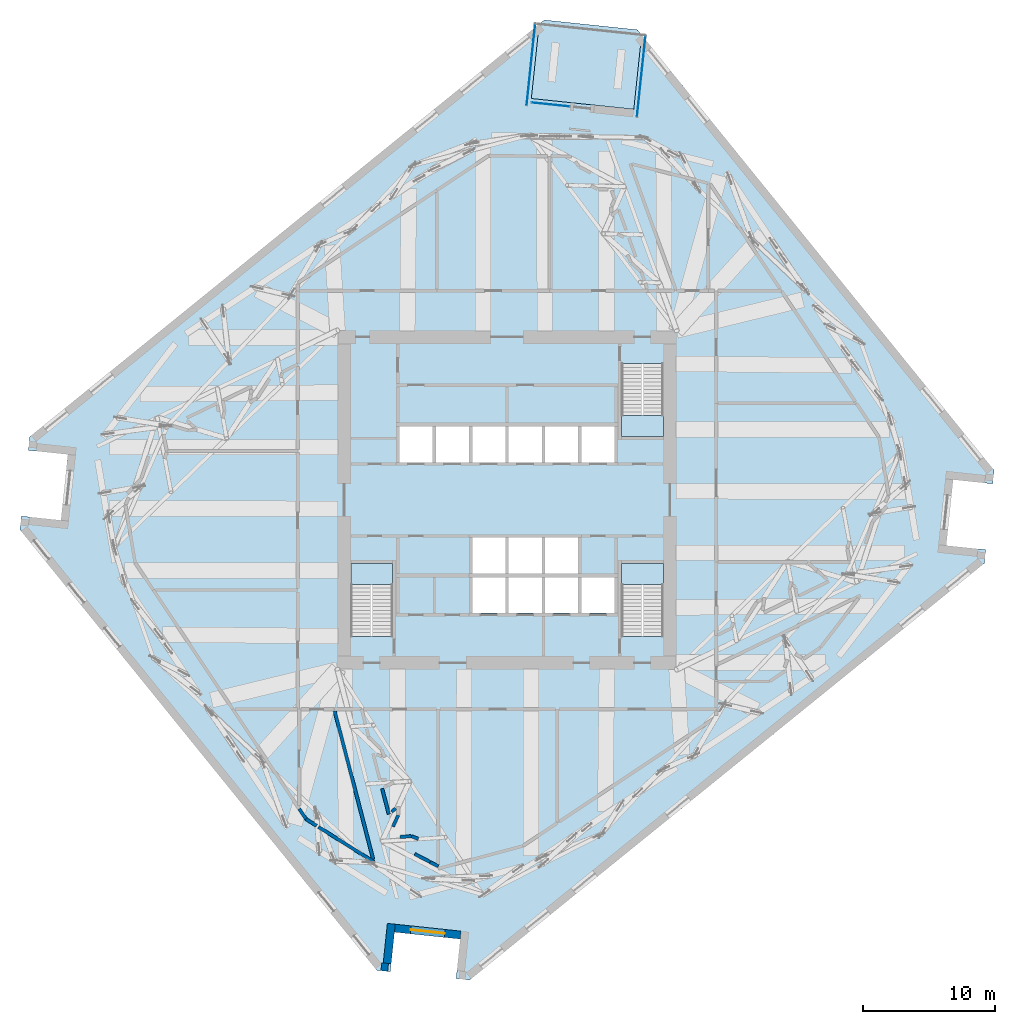
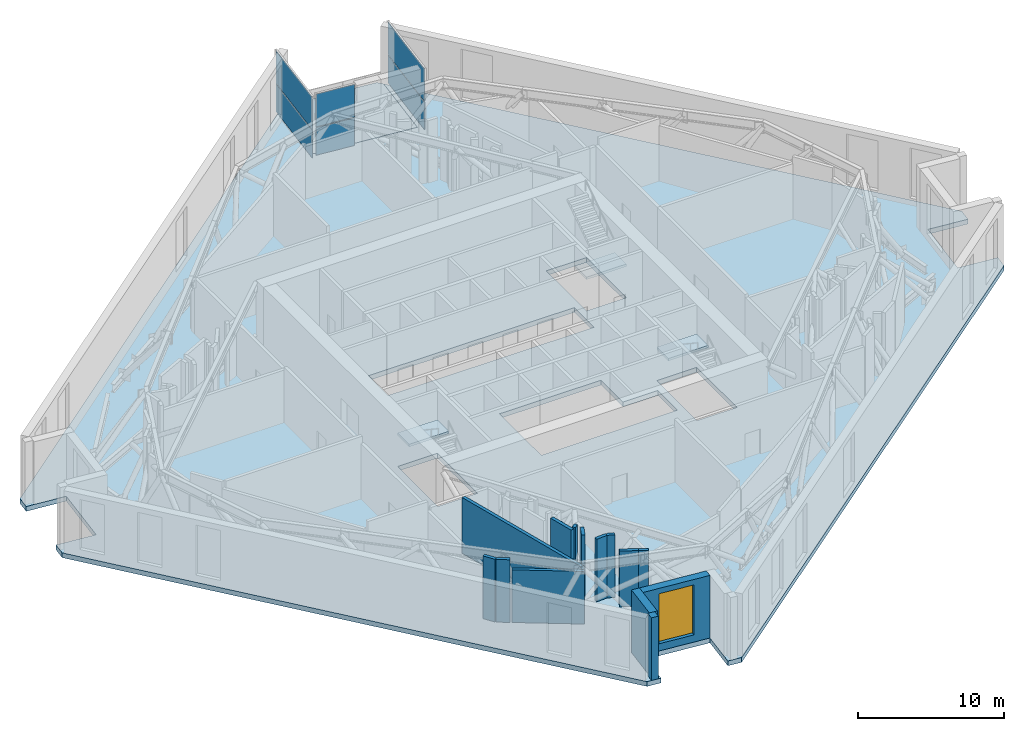
# One storey, part 6 of 17: 14 walls, 6 plates, 5 slabs, 1 window, 1 opening, 6 elements without a shape of their own.
"""IFC4 building model written with IfcOpenShell, lengths in metres."""

import ifcopenshell
import ifcopenshell.guid

model = None  # the IFC model being written
_history = None  # IfcOwnerHistory: only IFC2X3 demands one
_inside = {}  # id of a spatial element -> (the spatial element, [elements in it])
_under = {}  # id of a project, library or spatial element -> (it, [spatial elements below it])
_declared = {}  # id of a project -> (the project, [libraries it declares])
_typed = {}  # id of a type object -> (the type object, [elements of that type])
_made_of = {}  # id of a material, layer set ... -> (it, [elements and type objects made of it])


def new_model(schema):
    """Start an empty IFC model of exactly this schema.

    Asked for "IFC4X3", IfcOpenShell would pick the latest addendum, in which some entities
    have other attributes; the version numbers below select the first issue.
    IFC2X3 requires an IfcOwnerHistory on every rooted entity: one is made here for all.
    """
    global model, _history
    if schema == "IFC4X3":
        model = ifcopenshell.file(schema_version=(4, 3, 0, 0))
    else:
        model = ifcopenshell.file(schema=schema)
    _inside.clear()
    _under.clear()
    _declared.clear()
    _typed.clear()
    _made_of.clear()
    _history = None
    if model.schema == "IFC2X3":
        org = make("IfcOrganization", Name="unknown")
        user = make(
            "IfcPersonAndOrganization",
            ThePerson=make("IfcPerson", FamilyName="unknown"),
            TheOrganization=org,
        )
        app = make(
            "IfcApplication",
            ApplicationDeveloper=org,
            Version="unknown",
            ApplicationFullName="unknown",
            ApplicationIdentifier="unknown",
        )
        _history = make(
            "IfcOwnerHistory",
            OwningUser=user,
            OwningApplication=app,
            ChangeAction="ADDED",
            CreationDate=0,
        )
    return model


def make(cls, **values):
    """One entity of the class cls with the attributes given. An attribute that is None is left unset."""
    return model.create_entity(
        cls, **{name: value for name, value in values.items() if value is not None}
    )


def rooted(cls, **values):
    """An entity with a GlobalId (a new one), such as an element, a storey or a relation."""
    return make(cls, GlobalId=ifcopenshell.guid.new(), OwnerHistory=_history, **values)


def si_unit(unit_type, name, prefix=None):
    """IfcSIUnit, for example si_unit("LENGTHUNIT", "METRE", prefix="MILLI")."""
    return make("IfcSIUnit", UnitType=unit_type, Prefix=prefix, Name=name)


def assignment(units):
    """IfcUnitAssignment: the units of a project."""
    return None if units is None else make("IfcUnitAssignment", Units=units)


def point(xyz):
    """IfcCartesianPoint."""
    return None if xyz is None else make("IfcCartesianPoint", Coordinates=xyz)


def direction(xyz):
    """IfcDirection."""
    return None if xyz is None else make("IfcDirection", DirectionRatios=xyz)


def frame(location, z_axis=None, x_axis=None):
    """IfcAxis2Placement3D, a coordinate frame: its origin and axes. An axis left out is left unset."""
    return make(
        "IfcAxis2Placement3D",
        Location=point(location),
        Axis=direction(z_axis),
        RefDirection=direction(x_axis),
    )


def frame_2d(location, x_axis=None):
    """IfcAxis2Placement2D, a coordinate frame in the plane: its origin and x axis."""
    return make(
        "IfcAxis2Placement2D", Location=point(location), RefDirection=direction(x_axis)
    )


def origin():
    """The frame at (0, 0, 0) with its axes left unset."""
    return frame((0.0, 0.0, 0.0))


def origin_2d():
    """The frame at (0, 0) in the plane with its x axis left unset."""
    return frame_2d((0.0, 0.0))


def place(relative_to, where):
    """IfcLocalPlacement: puts the frame where relative to a parent placement (None: the world)."""
    return make(
        "IfcLocalPlacement", PlacementRelTo=relative_to, RelativePlacement=where
    )


def context(
    kind, dimensions, precision=None, world=None, true_north=None, identifier=None
):
    """IfcGeometricRepresentationContext, for example the 3D "Model" context."""
    return make(
        "IfcGeometricRepresentationContext",
        ContextIdentifier=identifier,
        ContextType=kind,
        CoordinateSpaceDimension=dimensions,
        Precision=precision,
        WorldCoordinateSystem=world,
        TrueNorth=true_north,
    )


def subcontext(parent, identifier, kind, view, scale=None):
    """IfcGeometricRepresentationSubContext, for example "Body" below "Model"."""
    return make(
        "IfcGeometricRepresentationSubContext",
        ContextIdentifier=identifier,
        ContextType=kind,
        ParentContext=parent,
        TargetScale=scale,
        TargetView=view,
    )


def project(units=None, contexts=None):
    """IfcProject with its units and contexts."""
    return rooted(
        "IfcProject",
        Name="project",
        RepresentationContexts=contexts,
        UnitsInContext=assignment(units),
    )


def spatial(cls, under=None, at=None, **own):
    """A site, building, storey or space (cls), placed at a placement, below another one or the project."""
    s = rooted(cls, ObjectPlacement=at, **own)
    if under is not None:
        _under.setdefault(under.id(), (under, []))[1].append(s)
    return s


def polyline(points):
    """IfcPolyline through the points."""
    return make("IfcPolyline", Points=[point(p) for p in points])


def profile(cls, at=None, kind="AREA", **sizes):
    """A parametric profile (cls). Its sizes go by their IFC names, for example OverallWidth=200.0."""
    return make(cls, ProfileType=kind, Position=at, **sizes)


def rectangle(**sizes):
    """IfcRectangleProfileDef."""
    return profile("IfcRectangleProfileDef", **sizes)


def outline(outer, holes=None, kind="AREA"):
    """IfcArbitraryClosedProfileDef: a profile drawn as a closed curve; with holes, ...WithVoids."""
    if holes is None:
        return make("IfcArbitraryClosedProfileDef", ProfileType=kind, OuterCurve=outer)
    return make(
        "IfcArbitraryProfileDefWithVoids",
        ProfileType=kind,
        OuterCurve=outer,
        InnerCurves=holes,
    )


def extrude(swept, where, along, depth):
    """IfcExtrudedAreaSolid: the profile swept, set in the frame where, extruded along a direction by depth."""
    return make(
        "IfcExtrudedAreaSolid",
        SweptArea=swept,
        Position=where,
        ExtrudedDirection=direction(along),
        Depth=depth,
    )


def shape(context_of_items, identifier, shape_type, items):
    """IfcShapeRepresentation: the items that make up one representation, for example the "Body"."""
    return make(
        "IfcShapeRepresentation",
        ContextOfItems=context_of_items,
        RepresentationIdentifier=identifier,
        RepresentationType=shape_type,
        Items=items,
    )


def material(Name=None, Category=None):
    """IfcMaterial."""
    return make("IfcMaterial", Name=Name, Category=Category)


def layer(
    of_material, thickness, ventilated=None, Name=None, Category=None, Priority=None
):
    """IfcMaterialLayer: one layer of a wall or slab, of a material (None: an air gap)."""
    return make(
        "IfcMaterialLayer",
        Material=of_material,
        LayerThickness=thickness,
        IsVentilated=ventilated,
        Name=Name,
        Category=Category,
        Priority=Priority,
    )


def layer_set(layers, Name=None):
    """IfcMaterialLayerSet."""
    return make("IfcMaterialLayerSet", MaterialLayers=layers, LayerSetName=Name)


def made_of(thing, what):
    """Note that an element or type object is made of a material, layer set ...; save() writes the relation."""
    if what is not None:
        _made_of.setdefault(what.id(), (what, []))[1].append(thing)
    return thing


def type_object(cls, material=None, **own):
    """A type object (cls), such as IfcWallType, which elements share."""
    return made_of(rooted(cls, **own), material)


def element(
    cls,
    number,
    at=None,
    inside=None,
    cuts=None,
    type_object=None,
    material=None,
    context=None,
    identifier="Body",
    shape_type=None,
    held_by="IfcProductDefinitionShape",
    body=None,
    shapes=None,
    **own,
):
    """One element of the class cls, such as IfcWall. Its Tag is "e" and its number.

    at: its placement. inside: the storey or other place that contains it. cuts: it is an
    opening in that element (IfcRelVoidsElement). A single representation is given by context,
    identifier, shape_type and body (its items); several are given by shapes. held_by: the class
    of the entity that holds the representations. save() writes the other relations.
    """
    e = rooted(cls, Tag="e%d" % number, ObjectPlacement=at, **own)
    if body is not None:
        shapes = [shape(context, identifier, shape_type, body)]
    if shapes is not None:
        e.Representation = make(held_by, Representations=shapes)
    if inside is not None:
        _inside.setdefault(inside.id(), (inside, []))[1].append(e)
    if cuts is not None:
        rooted(
            "IfcRelVoidsElement", RelatingBuildingElement=cuts, RelatedOpeningElement=e
        )
    if type_object is not None:
        _typed.setdefault(type_object.id(), (type_object, []))[1].append(e)
    return made_of(e, material)


def fill(opening, filler):
    """IfcRelFillsElement: the door or window that sits in an opening."""
    return rooted(
        "IfcRelFillsElement",
        RelatingOpeningElement=opening,
        RelatedBuildingElement=filler,
    )


def aggregate(whole, parts):
    """IfcRelAggregates: a whole, such as a stair, and the parts it consists of."""
    return rooted("IfcRelAggregates", RelatingObject=whole, RelatedObjects=parts)


def save(model, path):
    """Write the relations noted so far, then the file.

    IfcRelAggregates (storeys below a building ...), IfcRelContainedInSpatialStructure (elements
    in a storey), IfcRelDefinesByType, IfcRelAssociatesMaterial and IfcRelDeclares: one each for
    every whole, place, type object, material and project.
    """
    for whole, parts in _under.values():
        aggregate(whole, parts)
    for where, things in _inside.values():
        rooted(
            "IfcRelContainedInSpatialStructure",
            RelatedElements=things,
            RelatingStructure=where,
        )
    for kind, things in _typed.values():
        rooted("IfcRelDefinesByType", RelatedObjects=things, RelatingType=kind)
    for what, things in _made_of.values():
        rooted("IfcRelAssociatesMaterial", RelatedObjects=things, RelatingMaterial=what)
    for by, libraries in _declared.values():
        rooted("IfcRelDeclares", RelatingContext=by, RelatedDefinitions=libraries)
    model.write(path)


model = new_model("IFC4")

# Units and contexts
model_context = context("Model", 3, precision=1e-05, world=origin(), true_north=direction((0.0, 1.0)))
body_context = subcontext(model_context, "Body", "Model", "MODEL_VIEW")
ifc_project = project(units=[si_unit("LENGTHUNIT", "METRE"), si_unit("AREAUNIT", "SQUARE_METRE"), si_unit("VOLUMEUNIT", "CUBIC_METRE"), si_unit("PLANEANGLEUNIT", "RADIAN"), si_unit("MASSUNIT", "GRAM", prefix="KILO")], contexts=[model_context])

# Site, building, storey
site_placement = place(None, origin())
site = spatial("IfcSite", under=ifc_project, at=site_placement, CompositionType="ELEMENT")
building_placement = place(site_placement, origin())
building = spatial("IfcBuilding", under=site, at=building_placement, Name="Dilmun Exchange Tower", CompositionType="ELEMENT")
storey_placement = place(building_placement, frame((0.0, 0.0, 183.699951171875)))
storey = spatial("IfcBuildingStorey", under=building, at=storey_placement, Name="L43", CompositionType="ELEMENT", Elevation=183.699951171875)

# Stair, slab
ifc_material_1 = material(Name="Concrete C40/50", Category="concrete")
stair_type = type_object("IfcStairType", Name="Exit stair 1500 half-turn", PredefinedType="HALF_TURN_STAIR", material=ifc_material_1)
stair_1_placement = place(storey_placement, origin())
stair_1 = element("IfcStair", 1, at=stair_1_placement, inside=storey, type_object=stair_type, Name="L43 Protected exit stair ST1", PredefinedType="HALF_TURN_STAIR")
ifc_layer_1 = layer(ifc_material_1, 0.199951171875)
ifc_layer_set_1 = layer_set([ifc_layer_1], Name="Concrete C40/50")
slab_type_1 = type_object("IfcSlabType", Name="Exit stair landing 200", PredefinedType="LANDING", material=ifc_layer_set_1)
slab_1_placement = place(storey_placement, frame((0.0, 0.0, 2.60009765625)))
slab_1 = element("IfcSlab", 2, at=slab_1_placement, type_object=slab_type_1, Name="ST1 landing 1", PredefinedType="LANDING", context=body_context, shape_type="SweptSolid", body=[
    extrude(outline(polyline([(8.64990234375, 6.3798828125), (8.64990234375, 4.800048828125), (11.800048828125, 4.800048828125), (11.800048828125, 6.3798828125), (8.64990234375, 6.3798828125)])), origin(), (0.0, 0.0, 1.0), 0.199951171875),
])
aggregate(stair_1, [slab_1])

stair_2_placement = place(storey_placement, origin())
stair_2 = element("IfcStair", 3, at=stair_2_placement, inside=storey, type_object=stair_type, Name="L43 Protected exit stair ST2", PredefinedType="HALF_TURN_STAIR")
slab_2_placement = place(storey_placement, frame((0.0, 0.0, 2.60009765625)))
slab_2 = element("IfcSlab", 4, at=slab_2_placement, type_object=slab_type_1, Name="ST2 landing 1", PredefinedType="LANDING", context=body_context, shape_type="SweptSolid", body=[
    extrude(outline(polyline([(-8.64990234375, -6.3798828125), (-8.64990234375, -4.800048828125), (-11.800048828125, -4.800048828125), (-11.800048828125, -6.3798828125), (-8.64990234375, -6.3798828125)])), origin(), (0.0, 0.0, 1.0), 0.199951171875),
])
aggregate(stair_2, [slab_2])

stair_3_placement = place(storey_placement, origin())
stair_3 = element("IfcStair", 5, at=stair_3_placement, inside=storey, type_object=stair_type, Name="L43 Protected exit stair ST3", PredefinedType="HALF_TURN_STAIR")
slab_3_placement = place(storey_placement, frame((0.0, 0.0, 2.60009765625)))
slab_3 = element("IfcSlab", 6, at=slab_3_placement, type_object=slab_type_1, Name="ST3 landing 1", PredefinedType="LANDING", context=body_context, shape_type="SweptSolid", body=[
    extrude(outline(polyline([(11.800048828125, -6.3798828125), (11.800048828125, -4.800048828125), (8.64990234375, -4.800048828125), (8.64990234375, -6.3798828125), (11.800048828125, -6.3798828125)])), origin(), (0.0, 0.0, 1.0), 0.199951171875),
])
aggregate(stair_3, [slab_3])

# Curtain wall, plates
ifc_material_2 = material(Name="Anodised aluminium and clear glass", Category="aluminium")
curtain_wall_type = type_object("IfcCurtainWallType", Name="Garden corner glazing", PredefinedType="NOTDEFINED", material=ifc_material_2)
curtain_wall_1_placement = place(storey_placement, origin())
curtain_wall_1 = element("IfcCurtainWall", 7, at=curtain_wall_1_placement, inside=storey, type_object=curtain_wall_type, Name="Garden corner glazing run GC1.1", PredefinedType="NOTDEFINED")
ifc_material_3 = material(Name="Clear glass", Category="glass")
ifc_layer_2 = layer(ifc_material_3, 0.028076171875)
ifc_layer_set_2 = layer_set([ifc_layer_2], Name="Clear glass")
plate_type = type_object("IfcPlateType", Name="Garden corner glazing glass panel 28", PredefinedType="CURTAIN_PANEL", material=ifc_layer_set_2)
plate_1_placement = place(storey_placement, frame((10.133544921875, 31.984619140625, 0.06005859375), z_axis=(0.0, 0.0, 1.0), x_axis=(-0.104523945704, -0.994522370173, 0.0)))
plate_1 = element("IfcPlate", 8, at=plate_1_placement, type_object=plate_type, Name="GC1.1 panel 1.1", PredefinedType="CURTAIN_PANEL", context=body_context, shape_type="SweptSolid", body=[
    extrude(rectangle(XDim=6.12646484375, YDim=0.028076171875, at=origin_2d()), origin(), (0.0, 0.0, 1.0), 2.31005859375),
])
plate_2_placement = place(storey_placement, frame((10.133544921875, 31.984619140625, 2.43017578125), z_axis=(0.0, 0.0, 1.0), x_axis=(-0.104523945704, -0.994522370173, 0.0)))
plate_2 = element("IfcPlate", 9, at=plate_2_placement, type_object=plate_type, Name="GC1.1 panel 1.2", PredefinedType="CURTAIN_PANEL", context=body_context, shape_type="SweptSolid", body=[
    extrude(rectangle(XDim=6.12646484375, YDim=0.028076171875, at=origin_2d()), origin(), (0.0, 0.0, 1.0), 2.72998046875),
])
aggregate(curtain_wall_1, [plate_1, plate_2])

curtain_wall_2_placement = place(storey_placement, origin())
curtain_wall_2 = element("IfcCurtainWall", 10, at=curtain_wall_2_placement, inside=storey, type_object=curtain_wall_type, Name="Garden corner glazing run GC2.3", PredefinedType="NOTDEFINED")
plate_3_placement = place(storey_placement, frame((3.290771484375, 29.864990234375, 0.06005859375), z_axis=(0.0, 0.0, 1.0), x_axis=(-0.994523768694, 0.104510638231, 0.0)))
plate_3 = element("IfcPlate", 11, at=plate_3_placement, type_object=plate_type, Name="GC2.3 panel 1.1", PredefinedType="CURTAIN_PANEL", context=body_context, shape_type="SweptSolid", body=[
    extrude(rectangle(XDim=2.869140625, YDim=0.028076171875, at=origin_2d()), origin(), (0.0, 0.0, 1.0), 2.31005859375),
])
plate_4_placement = place(storey_placement, frame((3.290771484375, 29.864990234375, 2.43017578125), z_axis=(0.0, 0.0, 1.0), x_axis=(-0.994523768694, 0.104510638231, 0.0)))
plate_4 = element("IfcPlate", 12, at=plate_4_placement, type_object=plate_type, Name="GC2.3 panel 1.2", PredefinedType="CURTAIN_PANEL", context=body_context, shape_type="SweptSolid", body=[
    extrude(rectangle(XDim=2.869140625, YDim=0.028076171875, at=origin_2d()), origin(), (0.0, 0.0, 1.0), 2.72998046875),
])
aggregate(curtain_wall_2, [plate_3, plate_4])

curtain_wall_3_placement = place(storey_placement, origin())
curtain_wall_3 = element("IfcCurtainWall", 13, at=curtain_wall_3_placement, inside=storey, type_object=curtain_wall_type, Name="Garden corner glazing run GC3.1", PredefinedType="NOTDEFINED")
plate_5_placement = place(storey_placement, frame((1.80126953125, 32.8603515625, 0.06005859375), z_axis=(0.0, 0.0, 1.0), x_axis=(0.10453811554, 0.994520880826, 0.0)))
plate_5 = element("IfcPlate", 14, at=plate_5_placement, type_object=plate_type, Name="GC3.1 panel 1.1", PredefinedType="CURTAIN_PANEL", context=body_context, shape_type="SweptSolid", body=[
    extrude(rectangle(XDim=6.12646484375, YDim=0.028076171875, at=origin_2d()), origin(), (0.0, 0.0, 1.0), 2.31005859375),
])
plate_6_placement = place(storey_placement, frame((1.80126953125, 32.8603515625, 2.43017578125), z_axis=(0.0, 0.0, 1.0), x_axis=(0.10453811554, 0.994520880826, 0.0)))
plate_6 = element("IfcPlate", 15, at=plate_6_placement, type_object=plate_type, Name="GC3.1 panel 1.2", PredefinedType="CURTAIN_PANEL", context=body_context, shape_type="SweptSolid", body=[
    extrude(rectangle(XDim=6.12646484375, YDim=0.028076171875, at=origin_2d()), origin(), (0.0, 0.0, 1.0), 2.72998046875),
])
aggregate(curtain_wall_3, [plate_5, plate_6])

# Slabs
ifc_layer_3 = layer(ifc_material_1, 0.39990234375)
ifc_layer_set_3 = layer_set([ifc_layer_3], Name="Concrete C40/50")
slab_type_2 = type_object("IfcSlabType", Name="RC floor slab 400", PredefinedType="FLOOR", material=ifc_layer_set_3)
slab_4_placement = place(storey_placement, frame((0.0, 0.0, -0.39990234375)))
element("IfcSlab", 16, at=slab_4_placement, inside=storey, type_object=slab_type_2, Name="Floor slab", PredefinedType="FLOOR", context=body_context, shape_type="SweptSolid", body=[
    extrude(outline(polyline([(36.673583984375, 1.21875), (33.68994140625, 1.532470703125), (33.16748046875, -3.440185546875), (36.15087890625, -3.75390625), (36.042724609375, -4.78369140625), (-2.814697265625, -36.249755859375), (-3.844482421875, -36.141357421875), (-3.531005859375, -33.157958984375), (-8.50341796875, -32.63525390625), (-8.817138671875, -35.618896484375), (-9.846923828125, -35.510498046875), (-36.78173828125, -2.248779296875), (-36.673583984375, -1.21875), (-33.68994140625, -1.532470703125), (-33.16748046875, 3.440185546875), (-36.15087890625, 3.75390625), (-36.042724609375, 4.78369140625), (2.426025390625, 35.93505859375), (1.835693359375, 30.319580078125), (9.5712890625, 29.50634765625), (10.16162109375, 35.1220703125), (36.78173828125, 2.248779296875), (36.673583984375, 1.21875)]), holes=[polyline([(-8.64990234375, -4.800048828125), (-11.800048828125, -4.800048828125), (-11.800048828125, -10.294921875), (-8.64990234375, -10.294921875), (-8.64990234375, -4.800048828125)]), polyline([(11.800048828125, -4.800048828125), (8.64990234375, -4.800048828125), (8.64990234375, -10.294921875), (11.800048828125, -10.294921875), (11.800048828125, -4.800048828125)]), polyline([(5.375, -2.85009765625), (-2.625, -2.85009765625), (-2.625, -8.550048828125), (8.125, -8.550048828125), (8.125, -5.85009765625), (5.375, -5.85009765625), (5.375, -2.85009765625)]), polyline([(8.125, 2.85009765625), (8.125, 5.550048828125), (-8.125, 5.550048828125), (-8.125, 2.85009765625), (8.125, 2.85009765625)]), polyline([(8.64990234375, 10.294921875), (8.64990234375, 4.800048828125), (11.800048828125, 4.800048828125), (11.800048828125, 10.294921875), (8.64990234375, 10.294921875)])]), origin(), (0.0, 0.0, 1.0), 0.39990234375),
])
ifc_layer_4 = layer(ifc_material_1, 0.300048828125)
ifc_layer_set_4 = layer_set([ifc_layer_4], Name="Concrete C40/50")
slab_type_3 = type_object("IfcSlabType", Name="RC garden terrace slab 300", PredefinedType="FLOOR", material=ifc_layer_set_4)
slab_5_placement = place(storey_placement, frame((0.0, 0.0, -0.300048828125)))
element("IfcSlab", 17, at=slab_5_placement, inside=storey, type_object=slab_type_3, Name="Garden terrace slab", PredefinedType="FLOOR", context=body_context, shape_type="SweptSolid", body=[
    extrude(outline(polyline([(1.835693359375, 30.319580078125), (2.426025390625, 35.93505859375), (2.814697265625, 36.249755859375), (9.846923828125, 35.510498046875), (10.16162109375, 35.1220703125), (9.5712890625, 29.50634765625), (1.835693359375, 30.319580078125)])), origin(), (0.0, 0.0, 1.0), 0.300048828125),
])

# Walls
ifc_material_4 = material(Name="Concrete C32/40", Category="concrete")
ifc_layer_5 = layer(ifc_material_4, 0.25)
ifc_layer_set_5 = layer_set([ifc_layer_5], Name="Concrete C32/40")
wall_type_1 = type_object("IfcWallType", Name="Plant room wall 250", PredefinedType="PARTITIONING", material=ifc_layer_set_5)
wall_1_placement = place(storey_placement, frame((-5.803955078125, -27.347900390625, 0.0), z_axis=(0.0, 0.0, 1.0), x_axis=(0.88611179106, -0.463471567353, 0.0)))
element("IfcWall", 18, at=wall_1_placement, inside=storey, type_object=wall_type_1, Name="L43 plant room wall 01", PredefinedType="PARTITIONING", context=body_context, shape_type="SweptSolid", body=[
    extrude(rectangle(XDim=0.681640625, YDim=0.25, at=frame_2d((0.3408203125, 0.0))), origin(), (0.0, 0.0, 1.0), 4.650146484375),
])
wall_2_placement = place(storey_placement, frame((-6.973876953125, -26.736083984375, 0.0), z_axis=(0.0, 0.0, 1.0), x_axis=(0.886124209308, -0.463447824117, 0.0)))
element("IfcWall", 19, at=wall_2_placement, inside=storey, type_object=wall_type_1, Name="L43 plant room wall 03", PredefinedType="PARTITIONING", context=body_context, shape_type="SweptSolid", body=[
    extrude(rectangle(XDim=1.305419921875, YDim=0.25, at=frame_2d((0.65283203125, 0.0))), origin(), (0.0, 0.0, 1.0), 4.650146484375),
])
wall_3_placement = place(storey_placement, frame((-14.248779296875, -24.68701171875, 0.0), z_axis=(0.0, 0.0, 1.0), x_axis=(0.846183402254, -0.532891780523, 0.0)))
element("IfcWall", 20, at=wall_3_placement, inside=storey, type_object=wall_type_1, Name="L43 plant room wall 04", PredefinedType="PARTITIONING", context=body_context, shape_type="SweptSolid", body=[
    extrude(rectangle(XDim=4.948486328125, YDim=0.25, at=frame_2d((2.47412109375, 0.0))), origin(), (0.0, 0.0, 1.0), 4.385986328125),
])
wall_4_placement = place(storey_placement, frame((-7.2021484375, -25.399169921875, 0.0), z_axis=(0.0, 0.0, 1.0), x_axis=(0.930139082309, -0.36720741763, 0.0)))
element("IfcWall", 21, at=wall_4_placement, inside=storey, type_object=wall_type_1, Name="L43 plant room wall 06", PredefinedType="PARTITIONING", context=body_context, shape_type="SweptSolid", body=[
    extrude(rectangle(XDim=0.5439453125, YDim=0.25, at=frame_2d((0.27197265625, 0.0))), origin(), (0.0, 0.0, 1.0), 5.219970703125),
])
wall_5_placement = place(storey_placement, frame((-8.080810546875, -25.44580078125, 0.0), z_axis=(0.0, 0.0, 1.0), x_axis=(0.998184208541, 0.060235253964, 0.0)))
element("IfcWall", 22, at=wall_5_placement, inside=storey, type_object=wall_type_1, Name="L43 plant room wall 07", PredefinedType="PARTITIONING", context=body_context, shape_type="SweptSolid", body=[
    extrude(rectangle(XDim=0.85107421875, YDim=0.25, at=frame_2d((0.425537109375, 0.0))), origin(), (0.0, 0.0, 1.0), 5.219970703125),
])
wall_6_placement = place(storey_placement, frame((-8.61376953125, -24.667236328125, 0.0), z_axis=(0.0, 0.0, 1.0), x_axis=(0.417494441638, 0.908679476604, 0.0)))
element("IfcWall", 23, at=wall_6_placement, inside=storey, type_object=wall_type_1, Name="L43 plant room wall 08", PredefinedType="PARTITIONING", context=body_context, shape_type="SweptSolid", body=[
    extrude(rectangle(XDim=0.950927734375, YDim=0.25, at=frame_2d((0.4755859375, 0.0))), origin(), (0.0, 0.0, 1.0), 5.219970703125),
])
wall_7_placement = place(storey_placement, frame((-15.181640625, -24.099365234375, 0.0), z_axis=(0.0, 0.0, 1.0), x_axis=(0.846074146803, -0.533065228759, 0.0)))
element("IfcWall", 24, at=wall_7_placement, inside=storey, type_object=wall_type_1, Name="L43 plant room wall 09", PredefinedType="PARTITIONING", context=body_context, shape_type="SweptSolid", body=[
    extrude(rectangle(XDim=0.95068359375, YDim=0.25, at=frame_2d((0.475341796875, 0.0))), origin(), (0.0, 0.0, 1.0), 5.219970703125),
])
wall_8_placement = place(storey_placement, frame((-15.699951171875, -23.322021484375, 0.0), z_axis=(0.0, 0.0, 1.0), x_axis=(0.554578882517, -0.83213115737, 0.0)))
element("IfcWall", 25, at=wall_8_placement, inside=storey, type_object=wall_type_1, Name="L43 plant room wall 12", PredefinedType="PARTITIONING", context=body_context, shape_type="SweptSolid", body=[
    extrude(rectangle(XDim=0.928955078125, YDim=0.25, at=frame_2d((0.46435546875, 0.0))), origin(), (0.0, 0.0, 1.0), 5.219970703125),
])
wall_9_placement = place(storey_placement, frame((-9.431396484375, -21.793212890625, 0.0), z_axis=(0.0, 0.0, 1.0), x_axis=(0.251326977741, -0.967902242099, 0.0)))
element("IfcWall", 26, at=wall_9_placement, inside=storey, type_object=wall_type_1, Name="L43 plant room wall 14", PredefinedType="PARTITIONING", context=body_context, shape_type="SweptSolid", body=[
    extrude(rectangle(XDim=1.997314453125, YDim=0.25, at=frame_2d((0.99853515625, 0.0))), origin(), (0.0, 0.0, 1.0), 5.219970703125),
])
wall_10_placement = place(storey_placement, frame((-8.7138671875, -23.54345703125, 0.0), z_axis=(0.0, 0.0, 1.0), x_axis=(0.762213573358, 0.647325627941, 0.0)))
element("IfcWall", 27, at=wall_10_placement, inside=storey, type_object=wall_type_1, Name="L43 plant room wall 17", PredefinedType="PARTITIONING", context=body_context, shape_type="SweptSolid", body=[
    extrude(rectangle(XDim=0.395263671875, YDim=0.25, at=frame_2d((0.19775390625, 0.0))), origin(), (0.0, 0.0, 1.0), 5.219970703125),
])
wall_11_placement = place(storey_placement, frame((-13.020263671875, -15.929931640625, 0.0), z_axis=(0.0, 0.0, 1.0), x_axis=(0.251349124725, -0.967896491109, 0.0)))
element("IfcWall", 28, at=wall_11_placement, inside=storey, type_object=wall_type_1, Name="L43 plant room wall 32", PredefinedType="PARTITIONING", context=body_context, shape_type="SweptSolid", body=[
    extrude(rectangle(XDim=11.58203125, YDim=0.25, at=frame_2d((5.791015625, 0.0))), origin(), (0.0, 0.0, 1.0), 4.650146484375),
])
ifc_material_5 = material(Name="Precast concrete C50/60", Category="concrete")
ifc_layer_6 = layer(ifc_material_5, 0.60009765625)
ifc_layer_set_6 = layer_set([ifc_layer_6], Name="Precast concrete C50/60")
wall_type_2 = type_object("IfcWallType", Name="Precast stone-clad wall 600", PredefinedType="STANDARD", material=ifc_layer_set_6)
wall_12_placement = place(storey_placement, frame((-9.4931640625, -35.24609375, 0.0), z_axis=(0.0, 0.0, 1.0), x_axis=(0.99451852585, -0.10456051712, 0.0)))
element("IfcWall", 29, at=wall_12_placement, inside=storey, type_object=wall_type_2, Name="Facade wall L43-10", PredefinedType="STANDARD", context=body_context, shape_type="SweptSolid", body=[
    extrude(rectangle(XDim=0.51123046875, YDim=0.60009765625, at=frame_2d((0.255615234375, 0.0))), origin(), (0.0, 0.0, 1.0), 5.219970703125),
])
wall_13_placement = place(storey_placement, frame((-9.052734375, -34.99072265625, 0.0), z_axis=(0.0, 0.0, 1.0), x_axis=(0.10457040907, 0.994517485792, 0.0)))
element("IfcWall", 30, at=wall_13_placement, inside=storey, type_object=wall_type_2, Name="Facade wall L43-11", PredefinedType="STANDARD", context=body_context, shape_type="SweptSolid", body=[
    extrude(rectangle(XDim=3.0, YDim=0.60009765625, at=frame_2d((1.5, 0.0))), origin(), (0.0, 0.0, 1.0), 5.219970703125),
])

# Wall, opening, window
wall_14_placement = place(storey_placement, frame((-8.47216796875, -32.3369140625, 0.0), z_axis=(0.0, 0.0, 1.0), x_axis=(0.994520692635, -0.104539905878, 0.0)))
wall_14 = element("IfcWall", 31, at=wall_14_placement, inside=storey, type_object=wall_type_2, Name="Facade wall L43-12", PredefinedType="STANDARD", context=body_context, shape_type="SweptSolid", body=[
    extrude(rectangle(XDim=5.0, YDim=0.60009765625, at=frame_2d((2.5, 0.0))), origin(), (0.0, 0.0, 1.0), 5.219970703125),
])
opening_placement = place(wall_14_placement, frame((1.199951171875, 0.0, 0.60009765625)))
opening = element("IfcOpeningElement", 32, at=opening_placement, cuts=wall_14, Name="Opening LV260-417", PredefinedType="OPENING", context=body_context, shape_type="SweptSolid", body=[
    extrude(rectangle(XDim=2.60009765625, YDim=4.169921875, at=frame_2d((1.300048828125, 2.0849609375))), frame((0.0, 0.31005859375, 0.0), z_axis=(0.0, -1.0, 0.0), x_axis=(1.0, 0.0, 0.0)), (0.0, 0.0, 1.0), 0.6201171875),
])
ifc_material_6 = material(Name="Anodised aluminium louvre blades with sand trap", Category="aluminium")
window_type = type_object("IfcWindowType", Name="Plant louvre 2600 x 4170", PartitioningType="SINGLE_PANEL", PredefinedType="USERDEFINED", material=ifc_material_6)
window_placement = place(opening_placement, origin())
window = element("IfcWindow", 33, at=window_placement, inside=storey, type_object=window_type, Name="Plant louvre 13.1", ObjectType="LOUVRE", OverallHeight=4.169921875, OverallWidth=2.60009765625, PartitioningType="SINGLE_PANEL", PredefinedType="USERDEFINED", context=body_context, shape_type="SweptSolid", body=[
    extrude(rectangle(XDim=2.60009765625, YDim=4.169921875, at=frame_2d((1.300048828125, 2.0849609375))), frame((0.0, 0.030029296875, 0.0), z_axis=(0.0, -1.0, 0.0), x_axis=(1.0, 0.0, 0.0)), (0.0, 0.0, 1.0), 0.06005859375),
])
fill(opening, window)

save(model, "model.ifc")
